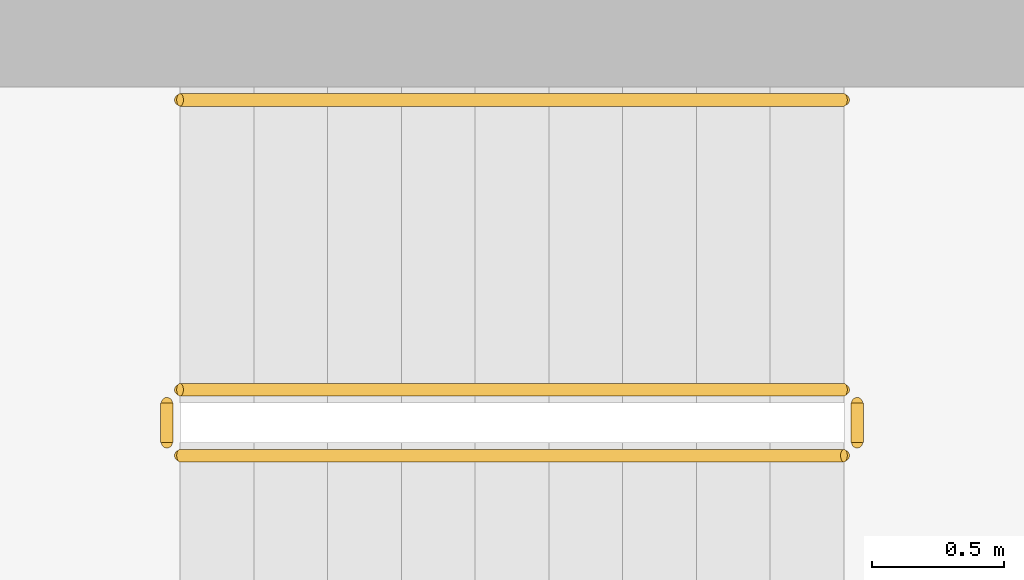
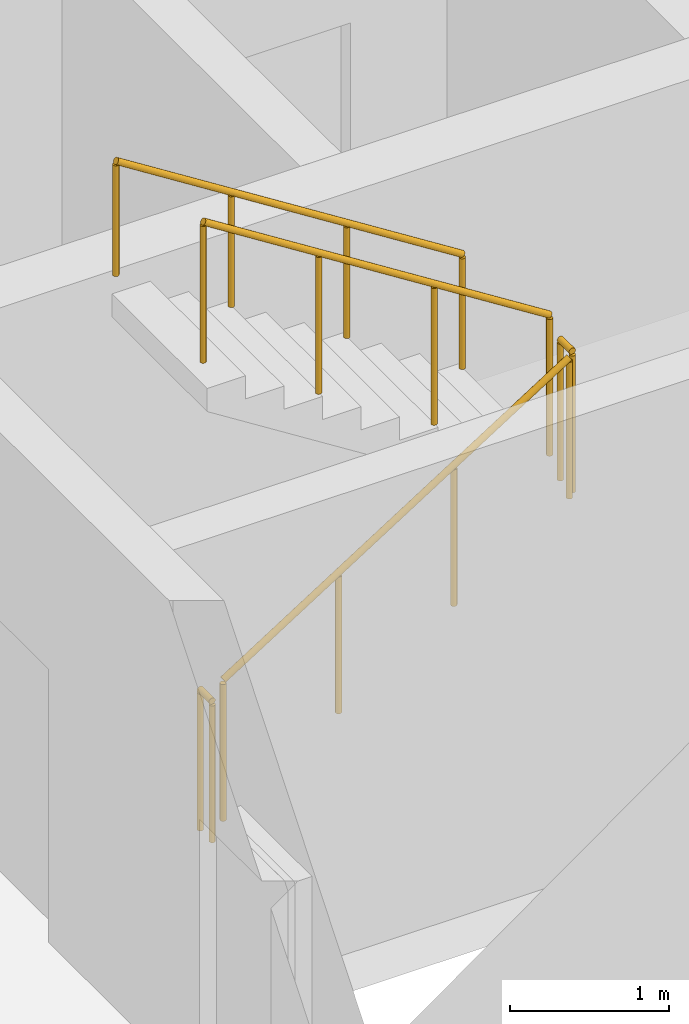
# One storey, part 15 of 17: 5 railings.
"""IFC4 building model written with IfcOpenShell, lengths in metres."""

from ifc_helpers import new_model, si_unit, direction, frame, origin, origin_2d, place, context, subcontext, project, spatial, circle, extrude, material, type_object, element, save


model = new_model("IFC4")

# Units and contexts
model_context = context("Model", 3, precision=1e-05, world=origin(), true_north=direction((0.0, 1.0)))
body_context = subcontext(model_context, "Body", "Model", "MODEL_VIEW")
ifc_project = project(units=[si_unit("LENGTHUNIT", "METRE"), si_unit("AREAUNIT", "SQUARE_METRE"), si_unit("VOLUMEUNIT", "CUBIC_METRE"), si_unit("PLANEANGLEUNIT", "RADIAN"), si_unit("MASSUNIT", "GRAM", prefix="KILO")], contexts=[model_context])

# Site, building, storey
site_placement = place(None, origin())
site = spatial("IfcSite", under=ifc_project, at=site_placement, CompositionType="ELEMENT")
building_placement = place(site_placement, origin())
building = spatial("IfcBuilding", under=site, at=building_placement, Name="Ostrand Prow Hotel Tower", CompositionType="ELEMENT")
storey_placement = place(building_placement, frame((0.0, 0.0, 179.050048828125)))
storey = spatial("IfcBuildingStorey", under=building, at=storey_placement, Name="L44", CompositionType="ELEMENT", Elevation=179.050048828125)

# Railings
ifc_material_1 = material(Name="Painted steel", Category="steel")
railing_type_1 = type_object("IfcRailingType", Name="Stair guard 1100", PredefinedType="GUARDRAIL", material=ifc_material_1)
railing_1_placement = place(storey_placement, frame((57.199951171875, -11.75, 0.177490234375)))
element("IfcRailing", 1, at=railing_1_placement, inside=storey, type_object=railing_type_1, Name="L44 ST2C stair guard 1", PredefinedType="GUARDRAIL", context=body_context, shape_type="SweptSolid", body=[
    extrude(circle(Radius=0.02392578125, at=origin_2d()), frame((0.0, 0.0, 1.076171875), z_axis=(0.84460694969, 0.0, 0.535386869969), x_axis=(0.0, 1.0, 0.0)), (0.0, 0.0, 1.0), 2.983642578125),
    extrude(circle(Radius=0.02099609375, at=origin_2d()), origin(), (0.0, 0.0, 1.0), 1.052001953125),
    extrude(circle(Radius=0.02099609375, at=origin_2d()), frame((0.840087890625, 0.0, 0.532470703125)), (0.0, 0.0, 1.0), 1.052001953125),
    extrude(circle(Radius=0.02099609375, at=origin_2d()), frame((1.679931640625, 0.0, 1.06494140625)), (0.0, 0.0, 1.0), 1.052001953125),
    extrude(circle(Radius=0.02099609375, at=origin_2d()), frame((2.52001953125, 0.0, 1.597412109375)), (0.0, 0.0, 1.0), 1.052001953125),
])
railing_2_placement = place(storey_placement, frame((59.77001953125, -11.699951171875, 1.77490234375)))
element("IfcRailing", 2, at=railing_2_placement, inside=storey, type_object=railing_type_1, Name="L44 ST2C stair guard 2", PredefinedType="GUARDRAIL", context=body_context, shape_type="SweptSolid", body=[
    extrude(circle(Radius=0.02392578125, at=origin_2d()), frame((0.0, 0.0, 1.076171875), z_axis=(0.0, 1.0, 0.0), x_axis=(-1.0, 0.0, 0.0)), (0.0, 0.0, 1.0), 0.14990234375),
    extrude(circle(Radius=0.02099609375, at=origin_2d()), origin(), (0.0, 0.0, 1.0), 1.052001953125),
    extrude(circle(Radius=0.02099609375, at=origin_2d()), frame((0.0, 0.14990234375, 0.0)), (0.0, 0.0, 1.0), 1.052001953125),
])
railing_3_placement = place(storey_placement, frame((59.719970703125, -11.5, 1.952392578125)))
element("IfcRailing", 3, at=railing_3_placement, inside=storey, type_object=railing_type_1, Name="L44 ST2C stair guard 3", PredefinedType="GUARDRAIL", context=body_context, shape_type="SweptSolid", body=[
    extrude(circle(Radius=0.02392578125, at=origin_2d()), frame((0.0, 0.0, 1.076171875), z_axis=(-0.84456994832, 0.0, 0.535445237532), x_axis=(0.0, -1.0, 0.0)), (0.0, 0.0, 1.0), 2.98388671875),
    extrude(circle(Radius=0.02099609375, at=origin_2d()), origin(), (0.0, 0.0, 1.0), 1.052001953125),
    extrude(circle(Radius=0.02099609375, at=origin_2d()), frame((-0.840087890625, 0.0, 0.532470703125)), (0.0, 0.0, 1.0), 1.052001953125),
    extrude(circle(Radius=0.02099609375, at=origin_2d()), frame((-1.679931640625, 0.0, 1.065185546875)), (0.0, 0.0, 1.0), 1.052001953125),
    extrude(circle(Radius=0.02099609375, at=origin_2d()), frame((-2.52001953125, 0.0, 1.59765625)), (0.0, 0.0, 1.0), 1.052001953125),
])
railing_4_placement = place(storey_placement, frame((57.14990234375, -11.699951171875, 0.0)))
element("IfcRailing", 4, at=railing_4_placement, inside=storey, type_object=railing_type_1, Name="L44 ST2C stair guard 4", PredefinedType="GUARDRAIL", context=body_context, shape_type="SweptSolid", body=[
    extrude(circle(Radius=0.02392578125, at=origin_2d()), frame((0.0, 0.0, 1.076171875), z_axis=(0.0, 1.0, 0.0), x_axis=(-1.0, 0.0, 0.0)), (0.0, 0.0, 1.0), 0.14990234375),
    extrude(circle(Radius=0.02099609375, at=origin_2d()), origin(), (0.0, 0.0, 1.0), 1.052001953125),
    extrude(circle(Radius=0.02099609375, at=origin_2d()), frame((0.0, 0.14990234375, 0.0)), (0.0, 0.0, 1.0), 1.052001953125),
])
ifc_material_2 = material(Name="Stainless steel", Category="steel")
railing_type_2 = type_object("IfcRailingType", Name="Stair handrail 900", PredefinedType="HANDRAIL", material=ifc_material_2)
railing_5_placement = place(storey_placement, frame((59.719970703125, -10.39990234375, 1.952392578125)))
element("IfcRailing", 5, at=railing_5_placement, inside=storey, type_object=railing_type_2, Name="L44 ST2C stair handrail 2", PredefinedType="HANDRAIL", context=body_context, shape_type="SweptSolid", body=[
    extrude(circle(Radius=0.02392578125, at=origin_2d()), frame((0.0, 0.0, 0.8759765625), z_axis=(-0.84456994832, 0.0, 0.535445237532), x_axis=(0.0, -1.0, 0.0)), (0.0, 0.0, 1.0), 2.98388671875),
    extrude(circle(Radius=0.02099609375, at=origin_2d()), origin(), (0.0, 0.0, 1.0), 0.851806640625),
    extrude(circle(Radius=0.02099609375, at=origin_2d()), frame((-0.840087890625, 0.0, 0.532470703125)), (0.0, 0.0, 1.0), 0.851806640625),
    extrude(circle(Radius=0.02099609375, at=origin_2d()), frame((-1.679931640625, 0.0, 1.065185546875)), (0.0, 0.0, 1.0), 0.851806640625),
    extrude(circle(Radius=0.02099609375, at=origin_2d()), frame((-2.52001953125, 0.0, 1.59765625)), (0.0, 0.0, 1.0), 0.851806640625),
])

save(model, "model.ifc")
